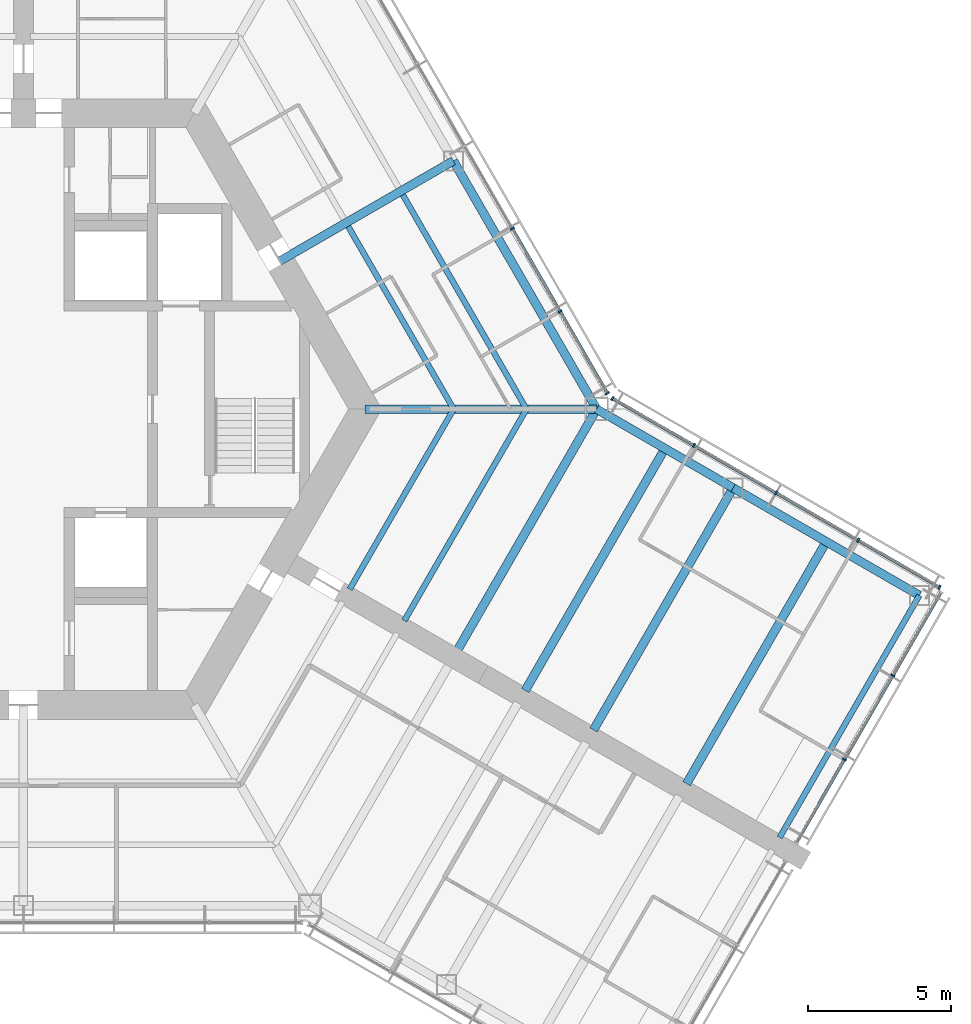
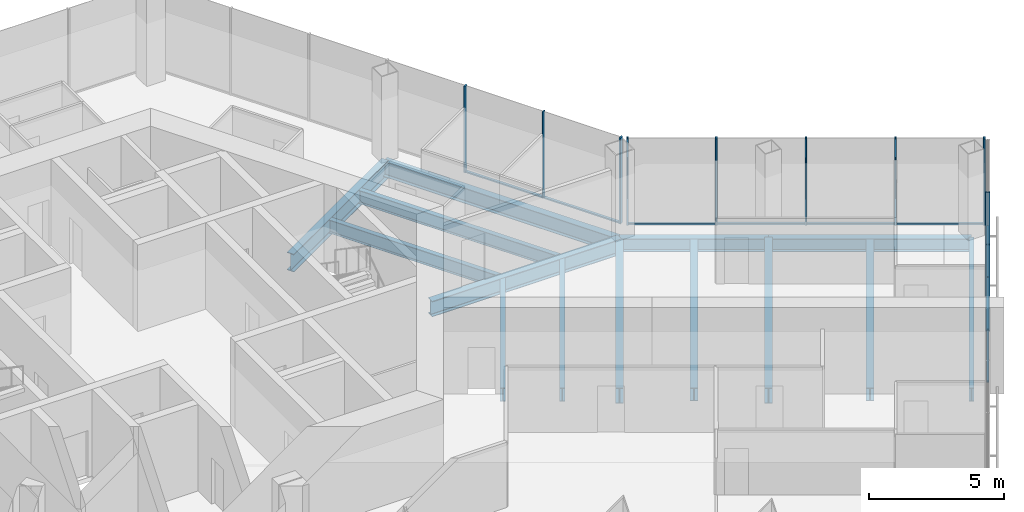
# One storey, part 6 of 18: 19 members, 14 beams, 3 elements without a shape of their own.
"""IFC4 building model written with IfcOpenShell, lengths in metres."""

from ifc_helpers import new_model, si_unit, direction, frame, origin, origin_2d, place, context, subcontext, project, spatial, rectangle, i_section, extrude, material, material_profile, profile_set, type_object, element, aggregate, save


model = new_model("IFC4")

# Units and contexts
model_context = context("Model", 3, precision=1e-05, world=origin(), true_north=direction((0.0, 1.0)))
body_context = subcontext(model_context, "Body", "Model", "MODEL_VIEW")
ifc_project = project(units=[si_unit("LENGTHUNIT", "METRE"), si_unit("AREAUNIT", "SQUARE_METRE"), si_unit("VOLUMEUNIT", "CUBIC_METRE"), si_unit("PLANEANGLEUNIT", "RADIAN"), si_unit("MASSUNIT", "GRAM", prefix="KILO")], contexts=[model_context])

# Site, building, storey
site_placement = place(None, origin())
site = spatial("IfcSite", under=ifc_project, at=site_placement, CompositionType="ELEMENT")
building_placement = place(site_placement, origin())
building = spatial("IfcBuilding", under=site, at=building_placement, Name="Kasaneha Research Tower", CompositionType="ELEMENT")
storey_placement = place(building_placement, frame((0.0, 0.0, 172.10009765625)))
storey = spatial("IfcBuildingStorey", under=building, at=storey_placement, Name="L43", CompositionType="ELEMENT", Elevation=172.10009765625)

# Beams
ifc_material_1 = material(Name="Steel SN490B", Category="steel")
ifc_material_profile_1 = material_profile(ifc_material_1, i_section(OverallWidth=0.199951171875, OverallDepth=0.60009765625, WebThickness=0.010986328125, FlangeThickness=0.01708984375, FilletRadius=0.012939453125, at=origin_2d()), Name="H-600x200x11x17")
ifc_profile_set_1 = profile_set([ifc_material_profile_1], Name="Steel SN490B")
beam_type_1 = type_object("IfcBeamType", Name="B1-3 secondary beam H-600x200x11x17", PredefinedType="JOIST", material=ifc_profile_set_1)
beam_1_placement = place(storey_placement, frame((15.010986328125, 0.0, -0.4501953125), z_axis=(-0.499994443168, 0.866028611999, 0.0), x_axis=(-0.866028611999, -0.499994443168, 0.0)))
element("IfcBeam", 1, at=beam_1_placement, inside=storey, type_object=beam_type_1, Name="Secondary beam RS030L1 L43", PredefinedType="JOIST", context=body_context, shape_type="SweptSolid", body=[
    extrude(i_section(OverallWidth=0.199951171875, OverallDepth=0.60009765625, WebThickness=0.010986328125, FlangeThickness=0.01708984375, FilletRadius=0.012939453125, at=origin_2d()), origin(), (0.0, 0.0, 1.0), 7.35546875),
])
beam_2_placement = place(storey_placement, frame((17.551513671875, 0.0, -0.4501953125), z_axis=(-0.5000050195, 0.866022505755, 0.0), x_axis=(-0.866022505755, -0.5000050195, 0.0)))
element("IfcBeam", 2, at=beam_2_placement, inside=storey, type_object=beam_type_1, Name="Secondary beam RS030L2 L43", PredefinedType="JOIST", context=body_context, shape_type="SweptSolid", body=[
    extrude(i_section(OverallWidth=0.199951171875, OverallDepth=0.60009765625, WebThickness=0.010986328125, FlangeThickness=0.01708984375, FilletRadius=0.012939453125, at=origin_2d()), origin(), (0.0, 0.0, 1.0), 8.6259765625),
])
beam_3_placement = place(storey_placement, frame((15.010986328125, 0.0, -0.4501953125), z_axis=(-0.499993340521, -0.866029248602, 0.0), x_axis=(0.866029248602, -0.499993340521, 0.0)))
element("IfcBeam", 3, at=beam_3_placement, inside=storey, type_object=beam_type_1, Name="Secondary beam RS330R1 L43", PredefinedType="JOIST", context=body_context, shape_type="SweptSolid", body=[
    extrude(i_section(OverallWidth=0.199951171875, OverallDepth=0.60009765625, WebThickness=0.010986328125, FlangeThickness=0.01708984375, FilletRadius=0.012939453125, at=origin_2d()), origin(), (0.0, 0.0, 1.0), 7.25537109375),
])
beam_4_placement = place(storey_placement, frame((17.551513671875, 0.0, -0.4501953125), z_axis=(-0.500004205306, -0.866022975836, 0.0), x_axis=(0.866022975836, -0.500004205306, 0.0)))
element("IfcBeam", 4, at=beam_4_placement, inside=storey, type_object=beam_type_1, Name="Secondary beam RS330R2 L43", PredefinedType="JOIST", context=body_context, shape_type="SweptSolid", body=[
    extrude(i_section(OverallWidth=0.199951171875, OverallDepth=0.60009765625, WebThickness=0.010986328125, FlangeThickness=0.01708984375, FilletRadius=0.012939453125, at=origin_2d()), origin(), (0.0, 0.0, 1.0), 8.52587890625),
])
ifc_material_2 = material(Name="Steel SN490B", Category="steel")
ifc_material_profile_2 = material_profile(ifc_material_2, i_section(OverallWidth=0.300048828125, OverallDepth=0.58203125, WebThickness=0.011962890625, FlangeThickness=0.01708984375, FilletRadius=0.012939453125, at=origin_2d()), Name="H-582x300x12x17")
ifc_profile_set_2 = profile_set([ifc_material_profile_2], Name="Steel SN490B")
beam_type_2 = type_object("IfcBeamType", Name="B2-3 secondary beam H-582x300x12x17", PredefinedType="JOIST", material=ifc_profile_set_2)
for number, where, z_axis, x_axis, name in (
    (5, (22.381591796875, -1.375, -0.441162109375), (-0.499995560238, -0.866027967067, 0.0), (0.866027967067, -0.499995560238, 0.0), "Secondary beam WBCN1 L43"),
    (6, (28.0107421875, -4.625, -0.441162109375), (-0.499995560238, -0.866027967067, 0.0), (0.866027967067, -0.499995560238, 0.0), "Secondary beam WBCN2 L43"),
):
    element("IfcBeam", number, at=place(storey_placement, frame(where, z_axis=z_axis, x_axis=x_axis)), inside=storey, type_object=beam_type_2, Name=name, PredefinedType="JOIST", context=body_context, shape_type="SweptSolid", body=[
        extrude(i_section(OverallWidth=0.300048828125, OverallDepth=0.58203125, WebThickness=0.011962890625, FlangeThickness=0.01708984375, FilletRadius=0.012939453125, at=origin_2d()), origin(), (0.0, 0.0, 1.0), 9.75),
    ])

# Curtain wall, members
ifc_material_3 = material(Name="Glass and aluminium", Category="aluminium")
curtain_wall_type = type_object("IfcCurtainWallType", Name="Mid-rise office curtain wall", PredefinedType="USERDEFINED", material=ifc_material_3)
curtain_wall_1_placement = place(storey_placement, origin())
curtain_wall_1 = element("IfcCurtainWall", 7, at=curtain_wall_1_placement, inside=storey, type_object=curtain_wall_type, Name="CW-O2 L43 run 04a", ObjectType="UNITISED CURTAIN WALL", PredefinedType="USERDEFINED")
ifc_material_4 = material(Name="Aluminium 6063-T6", Category="aluminium")
ifc_material_profile_3 = material_profile(ifc_material_4, rectangle(XDim=0.06005859375, YDim=0.14990234375, at=origin_2d()), Name="CW-O2 mullion 60x150")
ifc_profile_set_3 = profile_set([ifc_material_profile_3], Name="Aluminium 6063-T6")
member_type_1 = type_object("IfcMemberType", Name="CW-O2 mullion", PredefinedType="MULLION", material=ifc_profile_set_3)
member_1_placement = place(storey_placement, frame((28.64453125, -12.22705078125, 0.0), z_axis=(0.0, 0.0, 1.0), x_axis=(0.500000011442, 0.866025397178, 0.0)))
member_1 = element("IfcMember", 8, at=member_1_placement, type_object=member_type_1, Name="CW-O2 mullion 2", PredefinedType="MULLION", context=body_context, shape_type="SweptSolid", body=[
    extrude(rectangle(XDim=0.06005859375, YDim=0.14990234375, at=origin_2d()), origin(), (0.0, 0.0, 1.0), 3.89990234375),
])
member_2_placement = place(storey_placement, frame((30.336181640625, -9.297119140625, 0.0), z_axis=(0.0, 0.0, 1.0), x_axis=(0.500000011442, 0.866025397178, 0.0)))
member_2 = element("IfcMember", 9, at=member_2_placement, type_object=member_type_1, Name="CW-O2 mullion 3", PredefinedType="MULLION", context=body_context, shape_type="SweptSolid", body=[
    extrude(rectangle(XDim=0.06005859375, YDim=0.14990234375, at=origin_2d()), origin(), (0.0, 0.0, 1.0), 3.89990234375),
])

curtain_wall_2_placement = place(storey_placement, origin())
curtain_wall_2 = element("IfcCurtainWall", 10, at=curtain_wall_2_placement, inside=storey, type_object=curtain_wall_type, Name="CW-O2 L43 run 05a", ObjectType="UNITISED CURTAIN WALL", PredefinedType="USERDEFINED")
member_3_placement = place(storey_placement, frame((31.96533203125, -6.21533203125, 0.0), z_axis=(0.0, 0.0, 1.0), x_axis=(-0.866025411464, 0.499999986699, 0.0)))
member_3 = element("IfcMember", 11, at=member_3_placement, type_object=member_type_1, Name="CW-O2 mullion 1", PredefinedType="MULLION", context=body_context, shape_type="SweptSolid", body=[
    extrude(rectangle(XDim=0.06005859375, YDim=0.14990234375, at=origin_2d()), origin(), (0.0, 0.0, 1.0), 3.89990234375),
])
member_4_placement = place(storey_placement, frame((29.125, -4.575439453125, 0.0), z_axis=(0.0, 0.0, 1.0), x_axis=(-0.866025411464, 0.499999986699, 0.0)))
member_4 = element("IfcMember", 12, at=member_4_placement, type_object=member_type_1, Name="CW-O2 mullion 2", PredefinedType="MULLION", context=body_context, shape_type="SweptSolid", body=[
    extrude(rectangle(XDim=0.06005859375, YDim=0.14990234375, at=origin_2d()), origin(), (0.0, 0.0, 1.0), 3.89990234375),
])
member_5_placement = place(storey_placement, frame((26.258544921875, -2.920654296875, 0.0), z_axis=(0.0, 0.0, 1.0), x_axis=(-0.866025411464, 0.499999986699, 0.0)))
member_5 = element("IfcMember", 13, at=member_5_placement, type_object=member_type_1, Name="CW-O2 mullion 3", PredefinedType="MULLION", context=body_context, shape_type="SweptSolid", body=[
    extrude(rectangle(XDim=0.06005859375, YDim=0.14990234375, at=origin_2d()), origin(), (0.0, 0.0, 1.0), 3.89990234375),
])
member_6_placement = place(storey_placement, frame((23.39208984375, -1.265625, 0.0), z_axis=(0.0, 0.0, 1.0), x_axis=(-0.866025411464, 0.499999986699, 0.0)))
member_6 = element("IfcMember", 14, at=member_6_placement, type_object=member_type_1, Name="CW-O2 mullion 4", PredefinedType="MULLION", context=body_context, shape_type="SweptSolid", body=[
    extrude(rectangle(XDim=0.06005859375, YDim=0.14990234375, at=origin_2d()), origin(), (0.0, 0.0, 1.0), 3.89990234375),
])
member_7_placement = place(storey_placement, frame((20.5517578125, 0.374267578125, 0.0), z_axis=(0.0, 0.0, 1.0), x_axis=(-0.866025411464, 0.499999986699, 0.0)))
member_7 = element("IfcMember", 15, at=member_7_placement, type_object=member_type_1, Name="CW-O2 mullion 5", PredefinedType="MULLION", context=body_context, shape_type="SweptSolid", body=[
    extrude(rectangle(XDim=0.06005859375, YDim=0.14990234375, at=origin_2d()), origin(), (0.0, 0.0, 1.0), 3.89990234375),
])

curtain_wall_3_placement = place(storey_placement, origin())
curtain_wall_3 = element("IfcCurtainWall", 16, at=curtain_wall_3_placement, inside=storey, type_object=curtain_wall_type, Name="CW-O2 L43 run 06a", ObjectType="UNITISED CURTAIN WALL", PredefinedType="USERDEFINED")
member_8_placement = place(storey_placement, frame((20.374267578125, 0.5517578125, 0.0), z_axis=(0.0, 0.0, 1.0), x_axis=(-0.499999979232, 0.866025415775, 0.0)))
member_8 = element("IfcMember", 17, at=member_8_placement, type_object=member_type_1, Name="CW-O2 mullion 1", PredefinedType="MULLION", context=body_context, shape_type="SweptSolid", body=[
    extrude(rectangle(XDim=0.06005859375, YDim=0.14990234375, at=origin_2d()), origin(), (0.0, 0.0, 1.0), 3.89990234375),
])
member_9_placement = place(storey_placement, frame((18.723876953125, 3.410400390625, 0.0), z_axis=(0.0, 0.0, 1.0), x_axis=(-0.499999979232, 0.866025415775, 0.0)))
member_9 = element("IfcMember", 18, at=member_9_placement, type_object=member_type_1, Name="CW-O2 mullion 2", PredefinedType="MULLION", context=body_context, shape_type="SweptSolid", body=[
    extrude(rectangle(XDim=0.06005859375, YDim=0.14990234375, at=origin_2d()), origin(), (0.0, 0.0, 1.0), 3.89990234375),
])
member_10_placement = place(storey_placement, frame((17.058349609375, 6.295166015625, 0.0), z_axis=(0.0, 0.0, 1.0), x_axis=(-0.499999979232, 0.866025415775, 0.0)))
member_10 = element("IfcMember", 19, at=member_10_placement, type_object=member_type_1, Name="CW-O2 mullion 3", PredefinedType="MULLION", context=body_context, shape_type="SweptSolid", body=[
    extrude(rectangle(XDim=0.06005859375, YDim=0.14990234375, at=origin_2d()), origin(), (0.0, 0.0, 1.0), 3.89990234375),
])

# Member
ifc_material_5 = material(Name="Aluminium 6063-T6", Category="aluminium")
ifc_material_profile_4 = material_profile(ifc_material_5, rectangle(XDim=0.110107421875, YDim=0.06005859375, at=origin_2d()), Name="CW-O2 transom 110x60")
ifc_profile_set_4 = profile_set([ifc_material_profile_4], Name="Aluminium 6063-T6")
member_type_2 = type_object("IfcMemberType", Name="CW-O2 transom", PredefinedType="USERDEFINED", material=ifc_profile_set_4)
member_11_placement = place(storey_placement, frame((26.98291015625, -15.105224609375, 0.02978515625), z_axis=(0.500021914551, 0.866012751043, 0.0), x_axis=(-0.866012751043, 0.500021914551, 0.0)))
member_11 = element("IfcMember", 20, at=member_11_placement, type_object=member_type_2, Name="CW-O2 transom 1", ObjectType="TRANSOM", PredefinedType="USERDEFINED", context=body_context, shape_type="SweptSolid", body=[
    extrude(rectangle(XDim=0.110107421875, YDim=0.06005859375, at=origin_2d()), origin(), (0.0, 0.0, 1.0), 3.293212890625),
])

member_12_placement = place(storey_placement, frame((28.65966796875, -12.201171875, 0.02978515625), z_axis=(0.499978935311, 0.866037565146, 0.0), x_axis=(-0.866037565146, 0.499978935311, 0.0)))
member_12 = element("IfcMember", 21, at=member_12_placement, type_object=member_type_2, Name="CW-O2 transom 2", ObjectType="TRANSOM", PredefinedType="USERDEFINED", context=body_context, shape_type="SweptSolid", body=[
    extrude(rectangle(XDim=0.110107421875, YDim=0.06005859375, at=origin_2d()), origin(), (0.0, 0.0, 1.0), 3.323486328125),
])

member_13_placement = place(storey_placement, frame((30.351318359375, -9.27099609375, 0.02978515625), z_axis=(0.500021914551, 0.866012751043, 0.0), x_axis=(-0.866012751043, 0.500021914551, 0.0)))
member_13 = element("IfcMember", 22, at=member_13_placement, type_object=member_type_2, Name="CW-O2 transom 3", ObjectType="TRANSOM", PredefinedType="USERDEFINED", context=body_context, shape_type="SweptSolid", body=[
    extrude(rectangle(XDim=0.110107421875, YDim=0.06005859375, at=origin_2d()), origin(), (0.0, 0.0, 1.0), 3.293212890625),
])

aggregate(curtain_wall_1, [member_1, member_2, member_11, member_12, member_13])

member_14_placement = place(storey_placement, frame((31.939453125, -6.200439453125, 0.02978515625), z_axis=(-0.866041647767, 0.499971863542, 0.0), x_axis=(-0.499971863542, -0.866041647767, 0.0)))
member_14 = element("IfcMember", 23, at=member_14_placement, type_object=member_type_2, Name="CW-O2 transom 1", ObjectType="TRANSOM", PredefinedType="USERDEFINED", context=body_context, shape_type="SweptSolid", body=[
    extrude(rectangle(XDim=0.110107421875, YDim=0.06005859375, at=origin_2d()), origin(), (0.0, 0.0, 1.0), 3.219970703125),
])

member_15_placement = place(storey_placement, frame((29.098876953125, -4.560546875, 0.02978515625), z_axis=(-0.86599666273, 0.500049777664, 0.0), x_axis=(-0.500049777664, -0.86599666273, 0.0)))
member_15 = element("IfcMember", 24, at=member_15_placement, type_object=member_type_2, Name="CW-O2 transom 2", ObjectType="TRANSOM", PredefinedType="USERDEFINED", context=body_context, shape_type="SweptSolid", body=[
    extrude(rectangle(XDim=0.110107421875, YDim=0.06005859375, at=origin_2d()), origin(), (0.0, 0.0, 1.0), 3.249755859375),
])

member_16_placement = place(storey_placement, frame((26.232666015625, -2.905517578125, 0.02978515625), z_axis=(-0.86604797581, 0.499960902066, 0.0), x_axis=(-0.499960902066, -0.86604797581, 0.0)))
member_16 = element("IfcMember", 25, at=member_16_placement, type_object=member_type_2, Name="CW-O2 transom 3", ObjectType="TRANSOM", PredefinedType="USERDEFINED", context=body_context, shape_type="SweptSolid", body=[
    extrude(rectangle(XDim=0.110107421875, YDim=0.06005859375, at=origin_2d()), origin(), (0.0, 0.0, 1.0), 3.249755859375),
])

member_17_placement = place(storey_placement, frame((23.3662109375, -1.250732421875, 0.02978515625), z_axis=(-0.866022692473, 0.500004696101, 0.0), x_axis=(-0.500004696101, -0.866022692473, 0.0)))
member_17 = element("IfcMember", 26, at=member_17_placement, type_object=member_type_2, Name="CW-O2 transom 4", ObjectType="TRANSOM", PredefinedType="USERDEFINED", context=body_context, shape_type="SweptSolid", body=[
    extrude(rectangle(XDim=0.110107421875, YDim=0.06005859375, at=origin_2d()), origin(), (0.0, 0.0, 1.0), 3.2197265625),
])

aggregate(curtain_wall_2, [member_3, member_4, member_5, member_6, member_7, member_14, member_15, member_16, member_17])

member_18_placement = place(storey_placement, frame((20.359130859375, 0.577880859375, 0.02978515625), z_axis=(-0.499987643696, 0.866032537582, 0.0), x_axis=(-0.866032537582, -0.499987643696, 0.0)))
member_18 = element("IfcMember", 27, at=member_18_placement, type_object=member_type_2, Name="CW-O2 transom 1", ObjectType="TRANSOM", PredefinedType="USERDEFINED", context=body_context, shape_type="SweptSolid", body=[
    extrude(rectangle(XDim=0.110107421875, YDim=0.06005859375, at=origin_2d()), origin(), (0.0, 0.0, 1.0), 3.24072265625),
])

member_19_placement = place(storey_placement, frame((18.708740234375, 3.4365234375, 0.02978515625), z_axis=(-0.500000270186, 0.866025247793, 0.0), x_axis=(-0.866025247793, -0.500000270186, 0.0)))
member_19 = element("IfcMember", 28, at=member_19_placement, type_object=member_type_2, Name="CW-O2 transom 2", ObjectType="TRANSOM", PredefinedType="USERDEFINED", context=body_context, shape_type="SweptSolid", body=[
    extrude(rectangle(XDim=0.110107421875, YDim=0.06005859375, at=origin_2d()), origin(), (0.0, 0.0, 1.0), 3.27099609375),
])

aggregate(curtain_wall_3, [member_8, member_9, member_10, member_18, member_19])

# Beams
ifc_material_6 = material(Name="Steel SN490B", Category="steel")
ifc_material_profile_5 = material_profile(ifc_material_6, i_section(OverallWidth=0.300048828125, OverallDepth=0.699951171875, WebThickness=0.012939453125, FlangeThickness=0.02392578125, FilletRadius=0.01806640625, at=origin_2d()), Name="H-700x300x13x24")
ifc_profile_set_5 = profile_set([ifc_material_profile_5], Name="Steel SN490B")
beam_type_3 = type_object("IfcBeamType", Name="G1-3 radial girder H-700x300x13x24", PredefinedType="BEAM", material=ifc_profile_set_5)
beam_5_placement = place(storey_placement, frame((11.92236328125, 0.0, -0.5), z_axis=(1.0, 0.0, 0.0), x_axis=(0.0, 1.0, 0.0)))
element("IfcBeam", 29, at=beam_5_placement, inside=storey, type_object=beam_type_3, Name="Radial girder RV000 L43", PredefinedType="BEAM", context=body_context, shape_type="SweptSolid", body=[
    extrude(i_section(OverallWidth=0.300048828125, OverallDepth=0.699951171875, WebThickness=0.012939453125, FlangeThickness=0.02392578125, FilletRadius=0.01806640625, at=origin_2d()), origin(), (0.0, 0.0, 1.0), 8.07763671875),
])
ifc_material_7 = material(Name="Steel SN490B", Category="steel")
ifc_material_profile_6 = material_profile(ifc_material_7, i_section(OverallWidth=0.300048828125, OverallDepth=0.800048828125, WebThickness=0.013916015625, FlangeThickness=0.02587890625, FilletRadius=0.01806640625, at=origin_2d()), Name="H-800x300x14x26")
ifc_profile_set_6 = profile_set([ifc_material_profile_6], Name="Steel SN490B")
beam_type_4 = type_object("IfcBeamType", Name="G2-3 radial girder H-800x300x14x26", PredefinedType="BEAM", material=ifc_profile_set_6)
beam_6_placement = place(storey_placement, frame((8.941650390625, 5.16259765625, -0.550048828125), z_axis=(0.866039713508, 0.499975214012, 0.0), x_axis=(-0.499975214012, 0.866039713508, 0.0)))
element("IfcBeam", 30, at=beam_6_placement, inside=storey, type_object=beam_type_4, Name="Radial girder RM030 L43", PredefinedType="BEAM", context=body_context, shape_type="SweptSolid", body=[
    extrude(i_section(OverallWidth=0.300048828125, OverallDepth=0.800048828125, WebThickness=0.013916015625, FlangeThickness=0.02587890625, FilletRadius=0.01806640625, at=origin_2d()), origin(), (0.0, 0.0, 1.0), 6.995361328125),
])
ifc_material_8 = material(Name="Steel SN490B", Category="steel")
ifc_material_profile_7 = material_profile(ifc_material_8, i_section(OverallWidth=0.300048828125, OverallDepth=0.69189453125, WebThickness=0.012939453125, FlangeThickness=0.02001953125, FilletRadius=0.01806640625, at=origin_2d()), Name="H-692x300x13x20")
ifc_profile_set_7 = profile_set([ifc_material_profile_7], Name="Steel SN490B")
beam_type_5 = type_object("IfcBeamType", Name="G3-3 plate edge girder H-692x300x13x20", PredefinedType="BEAM", material=ifc_profile_set_7)
beam_7_placement = place(storey_placement, frame((20.0, 0.0, -0.49609375), z_axis=(-0.499995560238, -0.866027967067, 0.0), x_axis=(0.866027967067, -0.499995560238, 0.0)))
element("IfcBeam", 31, at=beam_7_placement, inside=storey, type_object=beam_type_5, Name="Plate edge girder PECN L43", PredefinedType="BEAM", context=body_context, shape_type="SweptSolid", body=[
    extrude(i_section(OverallWidth=0.300048828125, OverallDepth=0.69189453125, WebThickness=0.012939453125, FlangeThickness=0.02001953125, FilletRadius=0.01806640625, at=origin_2d()), origin(), (0.0, 0.0, 1.0), 9.75),
])
ifc_material_9 = material(Name="Steel SN490B", Category="steel")
ifc_material_profile_8 = material_profile(ifc_material_9, i_section(OverallWidth=0.300048828125, OverallDepth=0.699951171875, WebThickness=0.012939453125, FlangeThickness=0.02392578125, FilletRadius=0.01806640625, at=origin_2d()), Name="H-700x300x13x24")
ifc_profile_set_8 = profile_set([ifc_material_profile_8], Name="Steel SN490B")
beam_type_6 = type_object("IfcBeamType", Name="G4-3 wing girder H-700x300x13x24", PredefinedType="BEAM", material=ifc_profile_set_8)
beam_8_placement = place(storey_placement, frame((24.76318359375, -2.75, -0.5), z_axis=(-0.499995560238, -0.866027967067, 0.0), x_axis=(0.866027967067, -0.499995560238, 0.0)))
element("IfcBeam", 32, at=beam_8_placement, inside=storey, type_object=beam_type_6, Name="Wing girder WGCN L43", PredefinedType="BEAM", context=body_context, shape_type="SweptSolid", body=[
    extrude(i_section(OverallWidth=0.300048828125, OverallDepth=0.699951171875, WebThickness=0.012939453125, FlangeThickness=0.02392578125, FilletRadius=0.01806640625, at=origin_2d()), origin(), (0.0, 0.0, 1.0), 9.75),
])
ifc_material_10 = material(Name="Steel SN490B", Category="steel")
ifc_material_profile_9 = material_profile(ifc_material_10, i_section(OverallWidth=0.300048828125, OverallDepth=0.69189453125, WebThickness=0.012939453125, FlangeThickness=0.02001953125, FilletRadius=0.01806640625, at=origin_2d()), Name="H-692x300x13x20")
ifc_profile_set_9 = profile_set([ifc_material_profile_9], Name="Steel SN490B")
beam_type_7 = type_object("IfcBeamType", Name="SB1-3 spandrel beam H-692x300x13x20", PredefinedType="SPANDREL", material=ifc_profile_set_9)
beam_9_placement = place(storey_placement, frame((20.0, 0.0, -0.49609375), z_axis=(-0.500004234368, 0.866022959057, 0.0), x_axis=(-0.866022959057, -0.500004234368, 0.0)))
element("IfcBeam", 33, at=beam_9_placement, inside=storey, type_object=beam_type_7, Name="Spandrel beam SR030L L43", PredefinedType="SPANDREL", context=body_context, shape_type="SweptSolid", body=[
    extrude(i_section(OverallWidth=0.300048828125, OverallDepth=0.69189453125, WebThickness=0.012939453125, FlangeThickness=0.02001953125, FilletRadius=0.01806640625, at=origin_2d()), origin(), (0.0, 0.0, 1.0), 10.0),
])
ifc_material_11 = material(Name="Steel SN490B", Category="steel")
ifc_material_profile_10 = material_profile(ifc_material_11, i_section(OverallWidth=0.300048828125, OverallDepth=0.58203125, WebThickness=0.011962890625, FlangeThickness=0.01708984375, FilletRadius=0.012939453125, at=origin_2d()), Name="H-582x300x12x17")
ifc_profile_set_10 = profile_set([ifc_material_profile_10], Name="Steel SN490B")
beam_type_8 = type_object("IfcBeamType", Name="SB2-3 spandrel beam H-582x300x12x17", PredefinedType="SPANDREL", material=ifc_profile_set_10)
beam_10_placement = place(storey_placement, frame((20.0, 0.0, -0.441162109375), z_axis=(0.866027397988, -0.499996545922, 0.0), x_axis=(0.499996545922, 0.866027397988, 0.0)))
element("IfcBeam", 34, at=beam_10_placement, inside=storey, type_object=beam_type_8, Name="Spandrel beam WSCN1 L43", PredefinedType="SPANDREL", context=body_context, shape_type="SweptSolid", body=[
    extrude(i_section(OverallWidth=0.300048828125, OverallDepth=0.58203125, WebThickness=0.011962890625, FlangeThickness=0.01708984375, FilletRadius=0.012939453125, at=origin_2d()), origin(), (0.0, 0.0, 1.0), 5.5),
])
beam_11_placement = place(storey_placement, frame((24.76318359375, -2.75, -0.441162109375), z_axis=(0.866022959057, -0.500004234368, 0.0), x_axis=(0.500004234368, 0.866022959057, 0.0)))
element("IfcBeam", 35, at=beam_11_placement, inside=storey, type_object=beam_type_8, Name="Spandrel beam WSCN2 L43", PredefinedType="SPANDREL", context=body_context, shape_type="SweptSolid", body=[
    extrude(i_section(OverallWidth=0.300048828125, OverallDepth=0.58203125, WebThickness=0.011962890625, FlangeThickness=0.01708984375, FilletRadius=0.012939453125, at=origin_2d()), origin(), (0.0, 0.0, 1.0), 7.5),
])
ifc_material_12 = material(Name="Steel SN490B", Category="steel")
ifc_material_profile_11 = material_profile(ifc_material_12, i_section(OverallWidth=0.199951171875, OverallDepth=0.60009765625, WebThickness=0.010986328125, FlangeThickness=0.01708984375, FilletRadius=0.012939453125, at=origin_2d()), Name="H-600x200x11x17")
ifc_profile_set_11 = profile_set([ifc_material_profile_11], Name="Steel SN490B")
beam_type_9 = type_object("IfcBeamType", Name="SB3-3 spandrel beam H-600x200x11x17", PredefinedType="SPANDREL", material=ifc_profile_set_11)
beam_12_placement = place(storey_placement, frame((31.25830078125, -6.5, -0.4501953125), z_axis=(-0.499995560238, -0.866027967067, 0.0), x_axis=(0.866027967067, -0.499995560238, 0.0)))
element("IfcBeam", 36, at=beam_12_placement, inside=storey, type_object=beam_type_9, Name="Spandrel beam WTCN L43", PredefinedType="SPANDREL", context=body_context, shape_type="SweptSolid", body=[
    extrude(i_section(OverallWidth=0.199951171875, OverallDepth=0.60009765625, WebThickness=0.010986328125, FlangeThickness=0.01708984375, FilletRadius=0.012939453125, at=origin_2d()), origin(), (0.0, 0.0, 1.0), 9.75),
])

save(model, "model.ifc")
